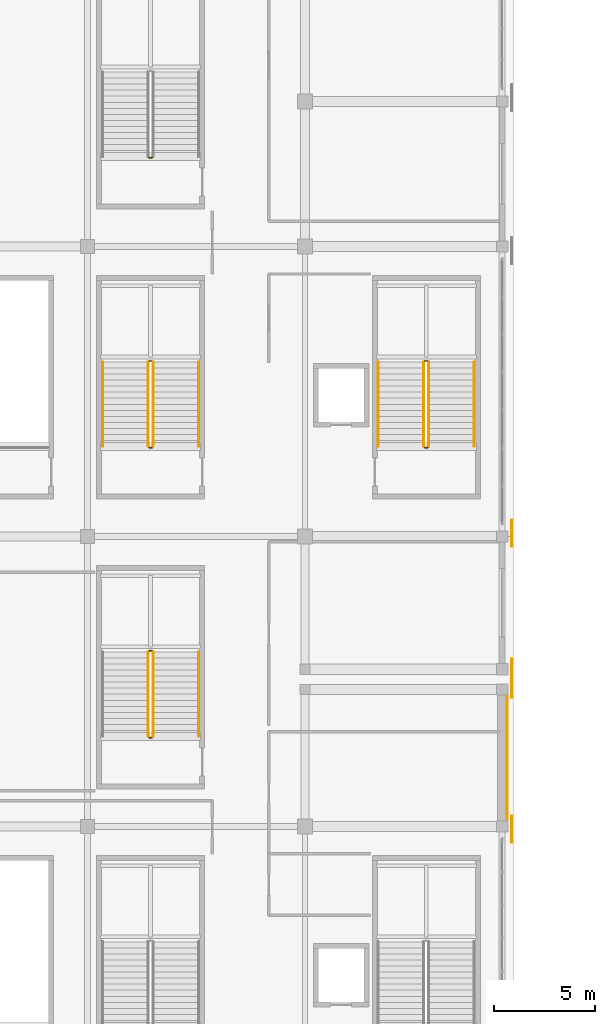
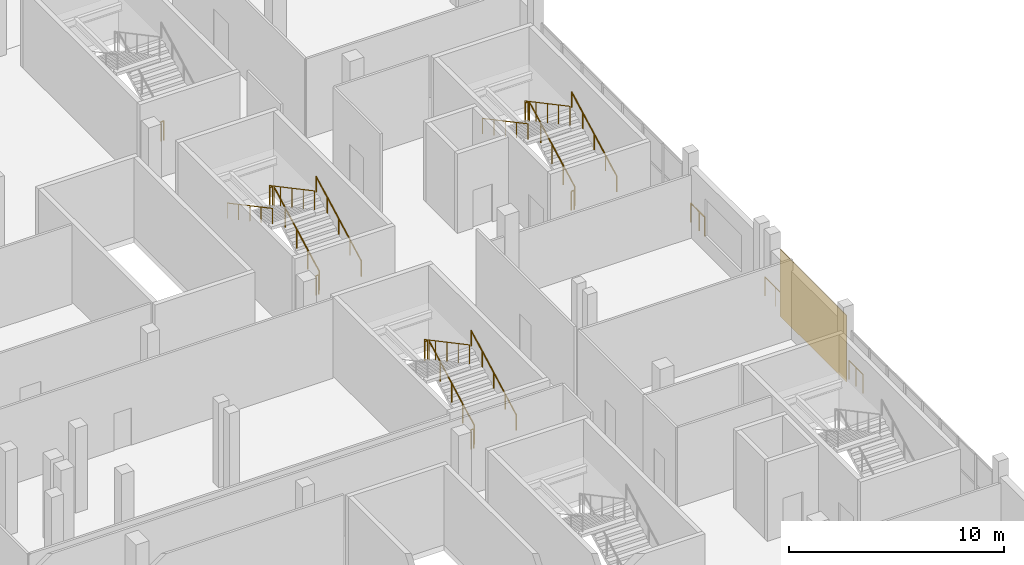
# One storey, part 121 of 129: 22 railings, 1 covering.
"""IFC4 building model written with IfcOpenShell, lengths in metres."""

from ifc_helpers import new_model, si_unit, direction, frame, origin, origin_2d, place, context, subcontext, project, spatial, rectangle, circle, extrude, material, layer, layer_set, type_object, element, save


model = new_model("IFC4")

# Units and contexts
model_context = context("Model", 3, precision=1e-05, world=origin(), true_north=direction((0.0, 1.0)))
body_context = subcontext(model_context, "Body", "Model", "MODEL_VIEW")
ifc_project = project(units=[si_unit("LENGTHUNIT", "METRE"), si_unit("AREAUNIT", "SQUARE_METRE"), si_unit("VOLUMEUNIT", "CUBIC_METRE"), si_unit("PLANEANGLEUNIT", "RADIAN"), si_unit("MASSUNIT", "GRAM", prefix="KILO")], contexts=[model_context])

# Site, building, storey
site_placement = place(None, origin())
site = spatial("IfcSite", under=ifc_project, at=site_placement, CompositionType="ELEMENT")
building_placement = place(site_placement, origin())
building = spatial("IfcBuilding", under=site, at=building_placement, Name="Koshinbarg Plaza Stadium", CompositionType="ELEMENT")
storey_placement = place(building_placement, frame((0.0, 0.0, 5.39990234375)))
storey = spatial("IfcBuildingStorey", under=building, at=storey_placement, Name="L01", CompositionType="ELEMENT", Elevation=5.39990234375)

# Covering
ifc_material_1 = material(Name="Terracotta-ochre pigmented mineral render facade cladding", Category="masonry")
ifc_layer = layer(ifc_material_1, 0.0400390625)
ifc_layer_set = layer_set([ifc_layer], Name="Terracotta-ochre pigmented mineral render facade cladding")
covering_type = type_object("IfcCoveringType", Name="COV-CLADDING-01", PredefinedType="CLADDING", material=ifc_layer_set)
covering_placement = place(storey_placement, frame((218.64501953125, 72.10009765625, 0.05029296875), z_axis=(0.0, 0.0, 1.0), x_axis=(0.0, -1.0, 0.0)))
element("IfcCovering", 1, at=covering_placement, inside=storey, type_object=covering_type, Name="L01 pigmented mineral facade cladding EWL-L01-0094", PredefinedType="CLADDING", context=body_context, shape_type="SweptSolid", body=[
    extrude(rectangle(XDim=6.159912109375, YDim=0.0400390625, at=origin_2d()), origin(), (0.0, 0.0, 1.0), 3.780029296875),
])

# Railings
ifc_material_2 = material(Name="Toughened laminated glass and stainless steel sightline balustrade", Category="steel")
railing_type_1 = type_object("IfcRailingType", Name="RL-BOWL-1100", PredefinedType="BALUSTRADE", material=ifc_material_2)
railing_1_placement = place(storey_placement, frame((218.875, 83.10009765625, 0.0)))
element("IfcRailing", 2, at=railing_1_placement, inside=storey, type_object=railing_type_1, Name="L01 deck edge safety balustrade 0020", PredefinedType="BALUSTRADE", context=body_context, shape_type="SweptSolid", body=[
    extrude(circle(Radius=0.02392578125, at=origin_2d()), frame((0.0, 0.0, 1.076171875), z_axis=(0.0, -1.0, 0.0), x_axis=(1.0, 0.0, 0.0)), (0.0, 0.0, 1.0), 0.5),
    extrude(circle(Radius=0.02099609375, at=origin_2d()), origin(), (0.0, 0.0, 1.0), 1.052001953125),
    extrude(circle(Radius=0.02099609375, at=origin_2d()), frame((0.0, -0.5, 0.0)), (0.0, 0.0, 1.0), 1.052001953125),
])
railing_2_placement = place(storey_placement, frame((218.875, 77.0, 0.0)))
element("IfcRailing", 3, at=railing_2_placement, inside=storey, type_object=railing_type_1, Name="L01 deck edge safety balustrade 0021", PredefinedType="BALUSTRADE", context=body_context, shape_type="SweptSolid", body=[
    extrude(circle(Radius=0.02392578125, at=origin_2d()), frame((0.0, 0.0, 1.076171875), z_axis=(0.0, -1.0, 0.0), x_axis=(1.0, 0.0, 0.0)), (0.0, 0.0, 1.0), 1.89990234375),
    extrude(circle(Radius=0.02099609375, at=origin_2d()), origin(), (0.0, 0.0, 1.0), 1.052001953125),
    extrude(circle(Radius=0.02099609375, at=origin_2d()), frame((0.0, -0.949951171875, 0.0)), (0.0, 0.0, 1.0), 1.052001953125),
    extrude(circle(Radius=0.02099609375, at=origin_2d()), frame((0.0, -1.89990234375, 0.0)), (0.0, 0.0, 1.0), 1.052001953125),
])
railing_3_placement = place(storey_placement, frame((218.875, 69.199951171875, 0.0)))
element("IfcRailing", 4, at=railing_3_placement, inside=storey, type_object=railing_type_1, Name="L01 deck edge safety balustrade 0022", PredefinedType="BALUSTRADE", context=body_context, shape_type="SweptSolid", body=[
    extrude(circle(Radius=0.02392578125, at=origin_2d()), frame((0.0, 0.0, 1.076171875), z_axis=(0.0, -1.0, 0.0), x_axis=(1.0, 0.0, 0.0)), (0.0, 0.0, 1.0), 1.300048828125),
    extrude(circle(Radius=0.02099609375, at=origin_2d()), origin(), (0.0, 0.0, 1.0), 1.052001953125),
    extrude(circle(Radius=0.02099609375, at=origin_2d()), frame((0.0, -0.64990234375, 0.0)), (0.0, 0.0, 1.0), 1.052001953125),
    extrude(circle(Radius=0.02099609375, at=origin_2d()), frame((0.0, -1.300048828125, 0.0)), (0.0, 0.0, 1.0), 1.052001953125),
])
railing_4_placement = place(storey_placement, frame((218.875, 83.89697265625, 0.0)))
element("IfcRailing", 5, at=railing_4_placement, inside=storey, type_object=railing_type_1, Name="L01 deck edge safety balustrade 0030", PredefinedType="BALUSTRADE", context=body_context, shape_type="SweptSolid", body=[
    extrude(circle(Radius=0.02392578125, at=origin_2d()), frame((0.0, 0.0, 1.076171875), z_axis=(0.0, -1.0, 0.0), x_axis=(1.0, 0.0, 0.0)), (0.0, 0.0, 1.0), 0.796875),
    extrude(circle(Radius=0.02099609375, at=origin_2d()), origin(), (0.0, 0.0, 1.0), 1.052001953125),
    extrude(circle(Radius=0.02099609375, at=origin_2d()), frame((0.0, -0.796875, 0.0)), (0.0, 0.0, 1.0), 1.052001953125),
])
ifc_material_3 = material(Name="Galvanized painted steel guardrail", Category="steel")
railing_type_2 = type_object("IfcRailingType", Name="RL-GUARD-1100", PredefinedType="GUARDRAIL", material=ifc_material_3)
railing_5_placement = place(storey_placement, frame((214.760009765625, 87.56005859375, 0.16015625)))
element("IfcRailing", 6, at=railing_5_placement, inside=storey, type_object=railing_type_2, Name="L01 C09 stair guard 1", PredefinedType="GUARDRAIL", context=body_context, shape_type="SweptSolid", body=[
    extrude(circle(Radius=0.02392578125, at=origin_2d()), frame((0.0, 0.0, 1.076171875), z_axis=(0.0, 0.882351521365, 0.470590897432), x_axis=(-1.0, 0.0, 0.0)), (0.0, 0.0, 1.0), 4.760009765625),
    extrude(circle(Radius=0.02099609375, at=origin_2d()), origin(), (0.0, 0.0, 1.0), 1.052001953125),
    extrude(circle(Radius=0.02099609375, at=origin_2d()), frame((0.0, 1.050048828125, 0.56005859375)), (0.0, 0.0, 1.0), 1.052001953125),
    extrude(circle(Radius=0.02099609375, at=origin_2d()), frame((0.0, 2.10009765625, 1.1201171875)), (0.0, 0.0, 1.0), 1.052001953125),
    extrude(circle(Radius=0.02099609375, at=origin_2d()), frame((0.0, 3.14990234375, 1.679931640625)), (0.0, 0.0, 1.0), 1.052001953125),
    extrude(circle(Radius=0.02099609375, at=origin_2d()), frame((0.0, 4.199951171875, 2.239990234375)), (0.0, 0.0, 1.0), 1.052001953125),
])
railing_6_placement = place(storey_placement, frame((214.7099609375, 91.81005859375, 2.400146484375)))
element("IfcRailing", 7, at=railing_6_placement, inside=storey, type_object=railing_type_2, Name="L01 C09 stair guard 2", PredefinedType="GUARDRAIL", context=body_context, shape_type="SweptSolid", body=[
    extrude(circle(Radius=0.02392578125, at=origin_2d()), frame((0.0, 0.0, 1.076171875), z_axis=(-1.0, 0.0, 0.0), x_axis=(0.0, -1.0, 0.0)), (0.0, 0.0, 1.0), 0.14990234375),
    extrude(circle(Radius=0.02099609375, at=origin_2d()), origin(), (0.0, 0.0, 1.0), 1.052001953125),
    extrude(circle(Radius=0.02099609375, at=origin_2d()), frame((-0.14990234375, 0.0, 0.0)), (0.0, 0.0, 1.0), 1.052001953125),
])
railing_7_placement = place(storey_placement, frame((214.510009765625, 91.760009765625, 2.56005859375)))
element("IfcRailing", 8, at=railing_7_placement, inside=storey, type_object=railing_type_2, Name="L01 C09 stair guard 3", PredefinedType="GUARDRAIL", context=body_context, shape_type="SweptSolid", body=[
    extrude(circle(Radius=0.02392578125, at=origin_2d()), frame((0.0, 0.0, 1.076171875), z_axis=(0.0, -0.882351521365, 0.470590897432), x_axis=(1.0, 0.0, 0.0)), (0.0, 0.0, 1.0), 4.760009765625),
    extrude(circle(Radius=0.02099609375, at=origin_2d()), origin(), (0.0, 0.0, 1.0), 1.052001953125),
    extrude(circle(Radius=0.02099609375, at=origin_2d()), frame((0.0, -1.050048828125, 0.56005859375)), (0.0, 0.0, 1.0), 1.052001953125),
    extrude(circle(Radius=0.02099609375, at=origin_2d()), frame((0.0, -2.10009765625, 1.1201171875)), (0.0, 0.0, 1.0), 1.052001953125),
    extrude(circle(Radius=0.02099609375, at=origin_2d()), frame((0.0, -3.14990234375, 1.679931640625)), (0.0, 0.0, 1.0), 1.052001953125),
    extrude(circle(Radius=0.02099609375, at=origin_2d()), frame((0.0, -4.199951171875, 2.239990234375)), (0.0, 0.0, 1.0), 1.052001953125),
])
railing_8_placement = place(storey_placement, frame((214.7099609375, 87.510009765625, 0.0)))
element("IfcRailing", 9, at=railing_8_placement, inside=storey, type_object=railing_type_2, Name="L01 C09 stair guard 4", PredefinedType="GUARDRAIL", context=body_context, shape_type="SweptSolid", body=[
    extrude(circle(Radius=0.02392578125, at=origin_2d()), frame((0.0, 0.0, 1.076171875), z_axis=(-1.0, 0.0, 0.0), x_axis=(0.0, -1.0, 0.0)), (0.0, 0.0, 1.0), 0.14990234375),
    extrude(circle(Radius=0.02099609375, at=origin_2d()), origin(), (0.0, 0.0, 1.0), 1.052001953125),
    extrude(circle(Radius=0.02099609375, at=origin_2d()), frame((-0.14990234375, 0.0, 0.0)), (0.0, 0.0, 1.0), 1.052001953125),
])
railing_9_placement = place(storey_placement, frame((201.06005859375, 73.159912109375, 0.16015625)))
element("IfcRailing", 10, at=railing_9_placement, inside=storey, type_object=railing_type_2, Name="L01 VX10 stair guard 1", PredefinedType="GUARDRAIL", context=body_context, shape_type="SweptSolid", body=[
    extrude(circle(Radius=0.02392578125, at=origin_2d()), frame((0.0, 0.0, 1.076171875), z_axis=(0.0, 0.882362879185, 0.470569601054), x_axis=(-1.0, 0.0, 0.0)), (0.0, 0.0, 1.0), 4.76025390625),
    extrude(circle(Radius=0.02099609375, at=origin_2d()), origin(), (0.0, 0.0, 1.0), 1.052001953125),
    extrude(circle(Radius=0.02099609375, at=origin_2d()), frame((0.0, 1.050048828125, 0.56005859375)), (0.0, 0.0, 1.0), 1.052001953125),
    extrude(circle(Radius=0.02099609375, at=origin_2d()), frame((0.0, 2.10009765625, 1.1201171875)), (0.0, 0.0, 1.0), 1.052001953125),
    extrude(circle(Radius=0.02099609375, at=origin_2d()), frame((0.0, 3.150146484375, 1.679931640625)), (0.0, 0.0, 1.0), 1.052001953125),
    extrude(circle(Radius=0.02099609375, at=origin_2d()), frame((0.0, 4.2001953125, 2.239990234375)), (0.0, 0.0, 1.0), 1.052001953125),
])
railing_10_placement = place(storey_placement, frame((201.010009765625, 77.409912109375, 2.400146484375)))
element("IfcRailing", 11, at=railing_10_placement, inside=storey, type_object=railing_type_2, Name="L01 VX10 stair guard 2", PredefinedType="GUARDRAIL", context=body_context, shape_type="SweptSolid", body=[
    extrude(circle(Radius=0.02392578125, at=origin_2d()), frame((0.0, 0.0, 1.076171875), z_axis=(-1.0, 0.0, 0.0), x_axis=(0.0, -1.0, 0.0)), (0.0, 0.0, 1.0), 0.14990234375),
    extrude(circle(Radius=0.02099609375, at=origin_2d()), origin(), (0.0, 0.0, 1.0), 1.052001953125),
    extrude(circle(Radius=0.02099609375, at=origin_2d()), frame((-0.14990234375, 0.0, 0.0)), (0.0, 0.0, 1.0), 1.052001953125),
])
railing_11_placement = place(storey_placement, frame((200.81005859375, 77.360107421875, 2.56005859375)))
element("IfcRailing", 12, at=railing_11_placement, inside=storey, type_object=railing_type_2, Name="L01 VX10 stair guard 3", PredefinedType="GUARDRAIL", context=body_context, shape_type="SweptSolid", body=[
    extrude(circle(Radius=0.02392578125, at=origin_2d()), frame((0.0, 0.0, 1.076171875), z_axis=(0.0, -0.882362879185, 0.470569601054), x_axis=(1.0, 0.0, 0.0)), (0.0, 0.0, 1.0), 4.76025390625),
    extrude(circle(Radius=0.02099609375, at=origin_2d()), origin(), (0.0, 0.0, 1.0), 1.052001953125),
    extrude(circle(Radius=0.02099609375, at=origin_2d()), frame((0.0, -1.050048828125, 0.56005859375)), (0.0, 0.0, 1.0), 1.052001953125),
    extrude(circle(Radius=0.02099609375, at=origin_2d()), frame((0.0, -2.10009765625, 1.1201171875)), (0.0, 0.0, 1.0), 1.052001953125),
    extrude(circle(Radius=0.02099609375, at=origin_2d()), frame((0.0, -3.150146484375, 1.679931640625)), (0.0, 0.0, 1.0), 1.052001953125),
    extrude(circle(Radius=0.02099609375, at=origin_2d()), frame((0.0, -4.2001953125, 2.239990234375)), (0.0, 0.0, 1.0), 1.052001953125),
])
railing_12_placement = place(storey_placement, frame((201.010009765625, 73.110107421875, 0.0)))
element("IfcRailing", 13, at=railing_12_placement, inside=storey, type_object=railing_type_2, Name="L01 VX10 stair guard 4", PredefinedType="GUARDRAIL", context=body_context, shape_type="SweptSolid", body=[
    extrude(circle(Radius=0.02392578125, at=origin_2d()), frame((0.0, 0.0, 1.076171875), z_axis=(-1.0, 0.0, 0.0), x_axis=(0.0, -1.0, 0.0)), (0.0, 0.0, 1.0), 0.14990234375),
    extrude(circle(Radius=0.02099609375, at=origin_2d()), origin(), (0.0, 0.0, 1.0), 1.052001953125),
    extrude(circle(Radius=0.02099609375, at=origin_2d()), frame((-0.14990234375, 0.0, 0.0)), (0.0, 0.0, 1.0), 1.052001953125),
])
railing_13_placement = place(storey_placement, frame((201.06005859375, 87.56005859375, 0.16015625)))
element("IfcRailing", 14, at=railing_13_placement, inside=storey, type_object=railing_type_2, Name="L01 VX11 stair guard 1", PredefinedType="GUARDRAIL", context=body_context, shape_type="SweptSolid", body=[
    extrude(circle(Radius=0.02392578125, at=origin_2d()), frame((0.0, 0.0, 1.076171875), z_axis=(0.0, 0.882351521365, 0.470590897432), x_axis=(-1.0, 0.0, 0.0)), (0.0, 0.0, 1.0), 4.760009765625),
    extrude(circle(Radius=0.02099609375, at=origin_2d()), origin(), (0.0, 0.0, 1.0), 1.052001953125),
    extrude(circle(Radius=0.02099609375, at=origin_2d()), frame((0.0, 1.050048828125, 0.56005859375)), (0.0, 0.0, 1.0), 1.052001953125),
    extrude(circle(Radius=0.02099609375, at=origin_2d()), frame((0.0, 2.10009765625, 1.1201171875)), (0.0, 0.0, 1.0), 1.052001953125),
    extrude(circle(Radius=0.02099609375, at=origin_2d()), frame((0.0, 3.14990234375, 1.679931640625)), (0.0, 0.0, 1.0), 1.052001953125),
    extrude(circle(Radius=0.02099609375, at=origin_2d()), frame((0.0, 4.199951171875, 2.239990234375)), (0.0, 0.0, 1.0), 1.052001953125),
])
railing_14_placement = place(storey_placement, frame((201.010009765625, 91.81005859375, 2.400146484375)))
element("IfcRailing", 15, at=railing_14_placement, inside=storey, type_object=railing_type_2, Name="L01 VX11 stair guard 2", PredefinedType="GUARDRAIL", context=body_context, shape_type="SweptSolid", body=[
    extrude(circle(Radius=0.02392578125, at=origin_2d()), frame((0.0, 0.0, 1.076171875), z_axis=(-1.0, 0.0, 0.0), x_axis=(0.0, -1.0, 0.0)), (0.0, 0.0, 1.0), 0.14990234375),
    extrude(circle(Radius=0.02099609375, at=origin_2d()), origin(), (0.0, 0.0, 1.0), 1.052001953125),
    extrude(circle(Radius=0.02099609375, at=origin_2d()), frame((-0.14990234375, 0.0, 0.0)), (0.0, 0.0, 1.0), 1.052001953125),
])
railing_15_placement = place(storey_placement, frame((200.81005859375, 91.760009765625, 2.56005859375)))
element("IfcRailing", 16, at=railing_15_placement, inside=storey, type_object=railing_type_2, Name="L01 VX11 stair guard 3", PredefinedType="GUARDRAIL", context=body_context, shape_type="SweptSolid", body=[
    extrude(circle(Radius=0.02392578125, at=origin_2d()), frame((0.0, 0.0, 1.076171875), z_axis=(0.0, -0.882351521365, 0.470590897432), x_axis=(1.0, 0.0, 0.0)), (0.0, 0.0, 1.0), 4.760009765625),
    extrude(circle(Radius=0.02099609375, at=origin_2d()), origin(), (0.0, 0.0, 1.0), 1.052001953125),
    extrude(circle(Radius=0.02099609375, at=origin_2d()), frame((0.0, -1.050048828125, 0.56005859375)), (0.0, 0.0, 1.0), 1.052001953125),
    extrude(circle(Radius=0.02099609375, at=origin_2d()), frame((0.0, -2.10009765625, 1.1201171875)), (0.0, 0.0, 1.0), 1.052001953125),
    extrude(circle(Radius=0.02099609375, at=origin_2d()), frame((0.0, -3.14990234375, 1.679931640625)), (0.0, 0.0, 1.0), 1.052001953125),
    extrude(circle(Radius=0.02099609375, at=origin_2d()), frame((0.0, -4.199951171875, 2.239990234375)), (0.0, 0.0, 1.0), 1.052001953125),
])
for number, where, name in (
    (17, (201.010009765625, 87.510009765625, 0.0), "L01 VX11 stair guard 4"),
    (18, (201.010009765625, 101.909912109375, 0.0), "L01 VX12 stair guard 4"),
):
    element("IfcRailing", number, at=place(storey_placement, frame(where)), inside=storey, type_object=railing_type_2, Name=name, PredefinedType="GUARDRAIL", context=body_context, shape_type="SweptSolid", body=[
        extrude(circle(Radius=0.02392578125, at=origin_2d()), frame((0.0, 0.0, 1.076171875), z_axis=(-1.0, 0.0, 0.0), x_axis=(0.0, -1.0, 0.0)), (0.0, 0.0, 1.0), 0.14990234375),
        extrude(circle(Radius=0.02099609375, at=origin_2d()), origin(), (0.0, 0.0, 1.0), 1.052001953125),
        extrude(circle(Radius=0.02099609375, at=origin_2d()), frame((-0.14990234375, 0.0, 0.0)), (0.0, 0.0, 1.0), 1.052001953125),
    ])
ifc_material_4 = material(Name="Brushed stainless steel handrail", Category="steel")
railing_type_3 = type_object("IfcRailingType", Name="RL-HAND-900", PredefinedType="HANDRAIL", material=ifc_material_4)
railing_16_placement = place(storey_placement, frame((217.02001953125, 87.56005859375, 0.16015625)))
element("IfcRailing", 19, at=railing_16_placement, inside=storey, type_object=railing_type_3, Name="L01 C09 stair handrail 1", PredefinedType="HANDRAIL", context=body_context, shape_type="SweptSolid", body=[
    extrude(circle(Radius=0.02392578125, at=origin_2d()), frame((0.0, 0.0, 0.8759765625), z_axis=(0.0, 0.882351521365, 0.470590897432), x_axis=(-1.0, 0.0, 0.0)), (0.0, 0.0, 1.0), 4.760009765625),
    extrude(circle(Radius=0.02099609375, at=origin_2d()), origin(), (0.0, 0.0, 1.0), 0.851806640625),
    extrude(circle(Radius=0.02099609375, at=origin_2d()), frame((0.0, 1.050048828125, 0.56005859375)), (0.0, 0.0, 1.0), 0.851806640625),
    extrude(circle(Radius=0.02099609375, at=origin_2d()), frame((0.0, 2.10009765625, 1.1201171875)), (0.0, 0.0, 1.0), 0.851806640625),
    extrude(circle(Radius=0.02099609375, at=origin_2d()), frame((0.0, 3.14990234375, 1.679931640625)), (0.0, 0.0, 1.0), 0.851806640625),
    extrude(circle(Radius=0.02099609375, at=origin_2d()), frame((0.0, 4.199951171875, 2.239990234375)), (0.0, 0.0, 1.0), 0.851806640625),
])
railing_17_placement = place(storey_placement, frame((212.25, 91.760009765625, 2.56005859375)))
element("IfcRailing", 20, at=railing_17_placement, inside=storey, type_object=railing_type_3, Name="L01 C09 stair handrail 2", PredefinedType="HANDRAIL", context=body_context, shape_type="SweptSolid", body=[
    extrude(circle(Radius=0.02392578125, at=origin_2d()), frame((0.0, 0.0, 0.8759765625), z_axis=(0.0, -0.882351521365, 0.470590897432), x_axis=(1.0, 0.0, 0.0)), (0.0, 0.0, 1.0), 4.760009765625),
    extrude(circle(Radius=0.02099609375, at=origin_2d()), origin(), (0.0, 0.0, 1.0), 0.851806640625),
    extrude(circle(Radius=0.02099609375, at=origin_2d()), frame((0.0, -1.050048828125, 0.56005859375)), (0.0, 0.0, 1.0), 0.851806640625),
    extrude(circle(Radius=0.02099609375, at=origin_2d()), frame((0.0, -2.10009765625, 1.1201171875)), (0.0, 0.0, 1.0), 0.851806640625),
    extrude(circle(Radius=0.02099609375, at=origin_2d()), frame((0.0, -3.14990234375, 1.679931640625)), (0.0, 0.0, 1.0), 0.851806640625),
    extrude(circle(Radius=0.02099609375, at=origin_2d()), frame((0.0, -4.199951171875, 2.239990234375)), (0.0, 0.0, 1.0), 0.851806640625),
])
railing_18_placement = place(storey_placement, frame((203.320068359375, 73.159912109375, 0.16015625)))
element("IfcRailing", 21, at=railing_18_placement, inside=storey, type_object=railing_type_3, Name="L01 VX10 stair handrail 1", PredefinedType="HANDRAIL", context=body_context, shape_type="SweptSolid", body=[
    extrude(circle(Radius=0.02392578125, at=origin_2d()), frame((0.0, 0.0, 0.8759765625), z_axis=(0.0, 0.882362879185, 0.470569601054), x_axis=(-1.0, 0.0, 0.0)), (0.0, 0.0, 1.0), 4.76025390625),
    extrude(circle(Radius=0.02099609375, at=origin_2d()), origin(), (0.0, 0.0, 1.0), 0.851806640625),
    extrude(circle(Radius=0.02099609375, at=origin_2d()), frame((0.0, 1.050048828125, 0.56005859375)), (0.0, 0.0, 1.0), 0.851806640625),
    extrude(circle(Radius=0.02099609375, at=origin_2d()), frame((0.0, 2.10009765625, 1.1201171875)), (0.0, 0.0, 1.0), 0.851806640625),
    extrude(circle(Radius=0.02099609375, at=origin_2d()), frame((0.0, 3.150146484375, 1.679931640625)), (0.0, 0.0, 1.0), 0.851806640625),
    extrude(circle(Radius=0.02099609375, at=origin_2d()), frame((0.0, 4.2001953125, 2.239990234375)), (0.0, 0.0, 1.0), 0.851806640625),
])
railing_19_placement = place(storey_placement, frame((203.320068359375, 87.56005859375, 0.16015625)))
element("IfcRailing", 22, at=railing_19_placement, inside=storey, type_object=railing_type_3, Name="L01 VX11 stair handrail 1", PredefinedType="HANDRAIL", context=body_context, shape_type="SweptSolid", body=[
    extrude(circle(Radius=0.02392578125, at=origin_2d()), frame((0.0, 0.0, 0.8759765625), z_axis=(0.0, 0.882351521365, 0.470590897432), x_axis=(-1.0, 0.0, 0.0)), (0.0, 0.0, 1.0), 4.760009765625),
    extrude(circle(Radius=0.02099609375, at=origin_2d()), origin(), (0.0, 0.0, 1.0), 0.851806640625),
    extrude(circle(Radius=0.02099609375, at=origin_2d()), frame((0.0, 1.050048828125, 0.56005859375)), (0.0, 0.0, 1.0), 0.851806640625),
    extrude(circle(Radius=0.02099609375, at=origin_2d()), frame((0.0, 2.10009765625, 1.1201171875)), (0.0, 0.0, 1.0), 0.851806640625),
    extrude(circle(Radius=0.02099609375, at=origin_2d()), frame((0.0, 3.14990234375, 1.679931640625)), (0.0, 0.0, 1.0), 0.851806640625),
    extrude(circle(Radius=0.02099609375, at=origin_2d()), frame((0.0, 4.199951171875, 2.239990234375)), (0.0, 0.0, 1.0), 0.851806640625),
])
railing_20_placement = place(storey_placement, frame((198.550048828125, 91.760009765625, 2.56005859375)))
element("IfcRailing", 23, at=railing_20_placement, inside=storey, type_object=railing_type_3, Name="L01 VX11 stair handrail 2", PredefinedType="HANDRAIL", context=body_context, shape_type="SweptSolid", body=[
    extrude(circle(Radius=0.02392578125, at=origin_2d()), frame((0.0, 0.0, 0.8759765625), z_axis=(0.0, -0.882351521365, 0.470590897432), x_axis=(1.0, 0.0, 0.0)), (0.0, 0.0, 1.0), 4.760009765625),
    extrude(circle(Radius=0.02099609375, at=origin_2d()), origin(), (0.0, 0.0, 1.0), 0.851806640625),
    extrude(circle(Radius=0.02099609375, at=origin_2d()), frame((0.0, -1.050048828125, 0.56005859375)), (0.0, 0.0, 1.0), 0.851806640625),
    extrude(circle(Radius=0.02099609375, at=origin_2d()), frame((0.0, -2.10009765625, 1.1201171875)), (0.0, 0.0, 1.0), 0.851806640625),
    extrude(circle(Radius=0.02099609375, at=origin_2d()), frame((0.0, -3.14990234375, 1.679931640625)), (0.0, 0.0, 1.0), 0.851806640625),
    extrude(circle(Radius=0.02099609375, at=origin_2d()), frame((0.0, -4.199951171875, 2.239990234375)), (0.0, 0.0, 1.0), 0.851806640625),
])

save(model, "model.ifc")
